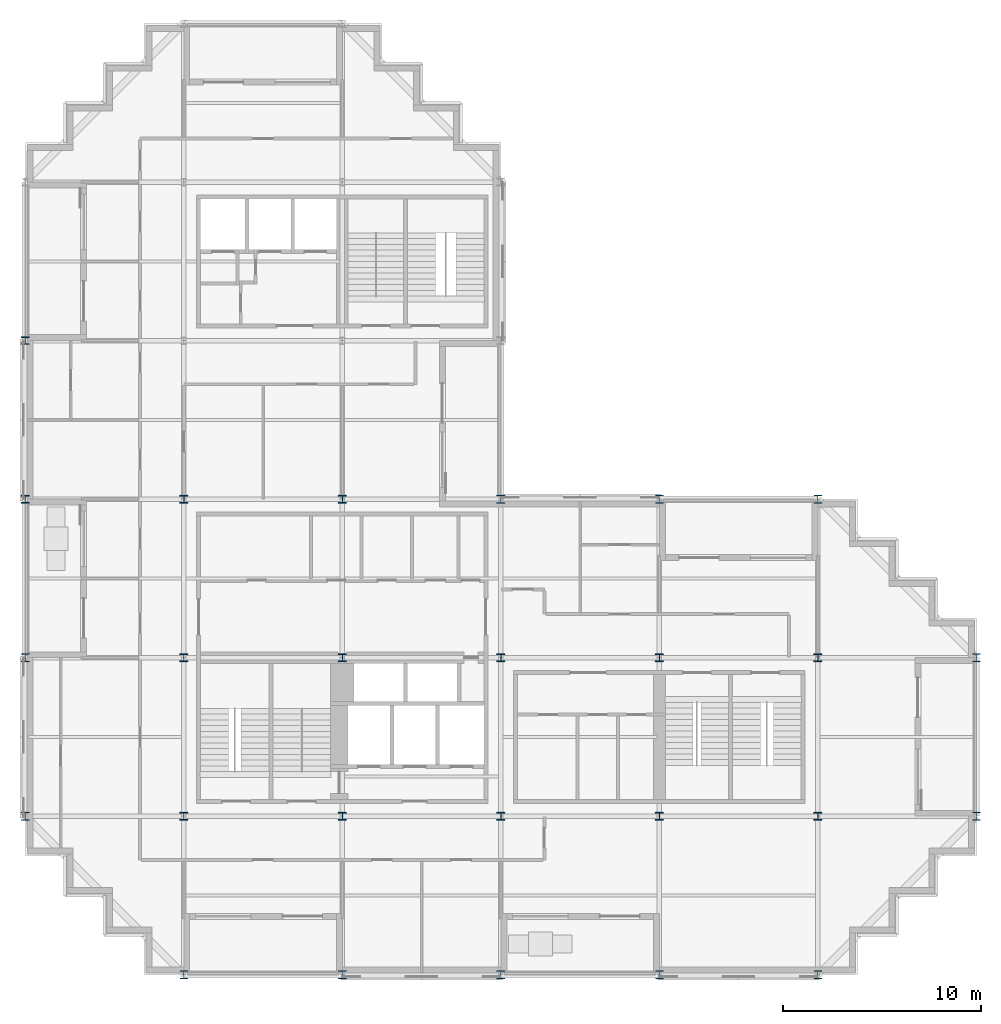
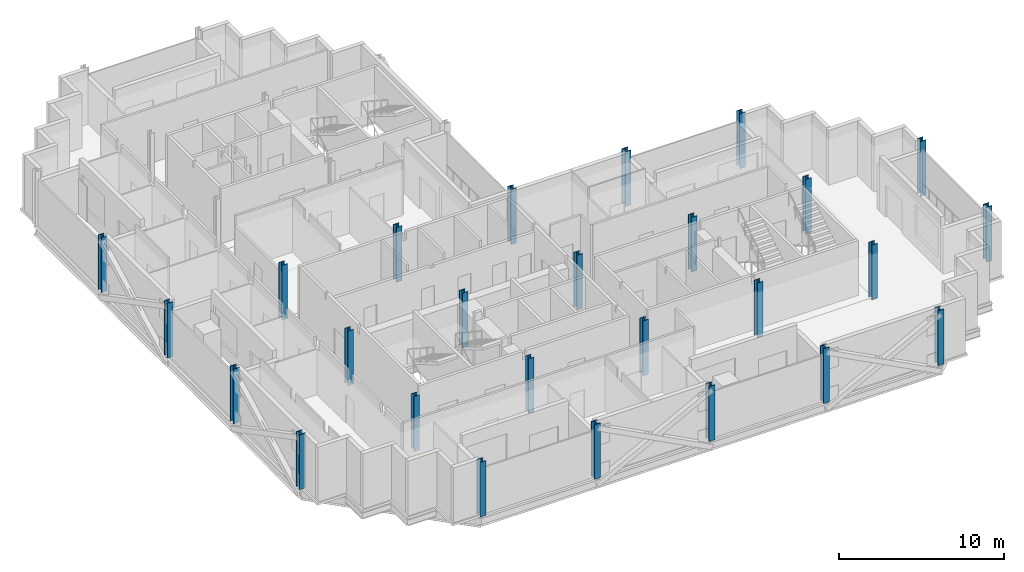
# One storey, part 1 of 13: 26 columns.
"""IFC4 building model written with IfcOpenShell, lengths in metres."""

import ifcopenshell
import ifcopenshell.guid

model = None  # the IFC model being written
_history = None  # IfcOwnerHistory: only IFC2X3 demands one
_inside = {}  # id of a spatial element -> (the spatial element, [elements in it])
_under = {}  # id of a project, library or spatial element -> (it, [spatial elements below it])
_declared = {}  # id of a project -> (the project, [libraries it declares])
_typed = {}  # id of a type object -> (the type object, [elements of that type])
_made_of = {}  # id of a material, layer set ... -> (it, [elements and type objects made of it])


def new_model(schema):
    """Start an empty IFC model of exactly this schema.

    Asked for "IFC4X3", IfcOpenShell would pick the latest addendum, in which some entities
    have other attributes; the version numbers below select the first issue.
    IFC2X3 requires an IfcOwnerHistory on every rooted entity: one is made here for all.
    """
    global model, _history
    if schema == "IFC4X3":
        model = ifcopenshell.file(schema_version=(4, 3, 0, 0))
    else:
        model = ifcopenshell.file(schema=schema)
    _inside.clear()
    _under.clear()
    _declared.clear()
    _typed.clear()
    _made_of.clear()
    _history = None
    if model.schema == "IFC2X3":
        org = make("IfcOrganization", Name="unknown")
        user = make(
            "IfcPersonAndOrganization",
            ThePerson=make("IfcPerson", FamilyName="unknown"),
            TheOrganization=org,
        )
        app = make(
            "IfcApplication",
            ApplicationDeveloper=org,
            Version="unknown",
            ApplicationFullName="unknown",
            ApplicationIdentifier="unknown",
        )
        _history = make(
            "IfcOwnerHistory",
            OwningUser=user,
            OwningApplication=app,
            ChangeAction="ADDED",
            CreationDate=0,
        )
    return model


def make(cls, **values):
    """One entity of the class cls with the attributes given. An attribute that is None is left unset."""
    return model.create_entity(
        cls, **{name: value for name, value in values.items() if value is not None}
    )


def rooted(cls, **values):
    """An entity with a GlobalId (a new one), such as an element, a storey or a relation."""
    return make(cls, GlobalId=ifcopenshell.guid.new(), OwnerHistory=_history, **values)


def si_unit(unit_type, name, prefix=None):
    """IfcSIUnit, for example si_unit("LENGTHUNIT", "METRE", prefix="MILLI")."""
    return make("IfcSIUnit", UnitType=unit_type, Prefix=prefix, Name=name)


def assignment(units):
    """IfcUnitAssignment: the units of a project."""
    return None if units is None else make("IfcUnitAssignment", Units=units)


def point(xyz):
    """IfcCartesianPoint."""
    return None if xyz is None else make("IfcCartesianPoint", Coordinates=xyz)


def direction(xyz):
    """IfcDirection."""
    return None if xyz is None else make("IfcDirection", DirectionRatios=xyz)


def frame(location, z_axis=None, x_axis=None):
    """IfcAxis2Placement3D, a coordinate frame: its origin and axes. An axis left out is left unset."""
    return make(
        "IfcAxis2Placement3D",
        Location=point(location),
        Axis=direction(z_axis),
        RefDirection=direction(x_axis),
    )


def frame_2d(location, x_axis=None):
    """IfcAxis2Placement2D, a coordinate frame in the plane: its origin and x axis."""
    return make(
        "IfcAxis2Placement2D", Location=point(location), RefDirection=direction(x_axis)
    )


def origin():
    """The frame at (0, 0, 0) with its axes left unset."""
    return frame((0.0, 0.0, 0.0))


def origin_2d():
    """The frame at (0, 0) in the plane with its x axis left unset."""
    return frame_2d((0.0, 0.0))


def place(relative_to, where):
    """IfcLocalPlacement: puts the frame where relative to a parent placement (None: the world)."""
    return make(
        "IfcLocalPlacement", PlacementRelTo=relative_to, RelativePlacement=where
    )


def context(
    kind, dimensions, precision=None, world=None, true_north=None, identifier=None
):
    """IfcGeometricRepresentationContext, for example the 3D "Model" context."""
    return make(
        "IfcGeometricRepresentationContext",
        ContextIdentifier=identifier,
        ContextType=kind,
        CoordinateSpaceDimension=dimensions,
        Precision=precision,
        WorldCoordinateSystem=world,
        TrueNorth=true_north,
    )


def subcontext(parent, identifier, kind, view, scale=None):
    """IfcGeometricRepresentationSubContext, for example "Body" below "Model"."""
    return make(
        "IfcGeometricRepresentationSubContext",
        ContextIdentifier=identifier,
        ContextType=kind,
        ParentContext=parent,
        TargetScale=scale,
        TargetView=view,
    )


def project(units=None, contexts=None):
    """IfcProject with its units and contexts."""
    return rooted(
        "IfcProject",
        Name="project",
        RepresentationContexts=contexts,
        UnitsInContext=assignment(units),
    )


def spatial(cls, under=None, at=None, **own):
    """A site, building, storey or space (cls), placed at a placement, below another one or the project."""
    s = rooted(cls, ObjectPlacement=at, **own)
    if under is not None:
        _under.setdefault(under.id(), (under, []))[1].append(s)
    return s


def profile(cls, at=None, kind="AREA", **sizes):
    """A parametric profile (cls). Its sizes go by their IFC names, for example OverallWidth=200.0."""
    return make(cls, ProfileType=kind, Position=at, **sizes)


def i_section(**sizes):
    """IfcIShapeProfileDef."""
    return profile("IfcIShapeProfileDef", **sizes)


def extrude(swept, where, along, depth):
    """IfcExtrudedAreaSolid: the profile swept, set in the frame where, extruded along a direction by depth."""
    return make(
        "IfcExtrudedAreaSolid",
        SweptArea=swept,
        Position=where,
        ExtrudedDirection=direction(along),
        Depth=depth,
    )


def shape(context_of_items, identifier, shape_type, items):
    """IfcShapeRepresentation: the items that make up one representation, for example the "Body"."""
    return make(
        "IfcShapeRepresentation",
        ContextOfItems=context_of_items,
        RepresentationIdentifier=identifier,
        RepresentationType=shape_type,
        Items=items,
    )


def material(Name=None, Category=None):
    """IfcMaterial."""
    return make("IfcMaterial", Name=Name, Category=Category)


def material_profile(
    of_material, cross_section, Name=None, Category=None, Priority=None
):
    """IfcMaterialProfile: a cross section and its material."""
    return make(
        "IfcMaterialProfile",
        Name=Name,
        Material=of_material,
        Profile=cross_section,
        Priority=Priority,
        Category=Category,
    )


def profile_set(profiles, Name=None, composite=None):
    """IfcMaterialProfileSet."""
    return make(
        "IfcMaterialProfileSet",
        Name=Name,
        MaterialProfiles=profiles,
        CompositeProfile=composite,
    )


def made_of(thing, what):
    """Note that an element or type object is made of a material, layer set ...; save() writes the relation."""
    if what is not None:
        _made_of.setdefault(what.id(), (what, []))[1].append(thing)
    return thing


def type_object(cls, material=None, **own):
    """A type object (cls), such as IfcWallType, which elements share."""
    return made_of(rooted(cls, **own), material)


def element(
    cls,
    number,
    at=None,
    inside=None,
    cuts=None,
    type_object=None,
    material=None,
    context=None,
    identifier="Body",
    shape_type=None,
    held_by="IfcProductDefinitionShape",
    body=None,
    shapes=None,
    **own,
):
    """One element of the class cls, such as IfcWall. Its Tag is "e" and its number.

    at: its placement. inside: the storey or other place that contains it. cuts: it is an
    opening in that element (IfcRelVoidsElement). A single representation is given by context,
    identifier, shape_type and body (its items); several are given by shapes. held_by: the class
    of the entity that holds the representations. save() writes the other relations.
    """
    e = rooted(cls, Tag="e%d" % number, ObjectPlacement=at, **own)
    if body is not None:
        shapes = [shape(context, identifier, shape_type, body)]
    if shapes is not None:
        e.Representation = make(held_by, Representations=shapes)
    if inside is not None:
        _inside.setdefault(inside.id(), (inside, []))[1].append(e)
    if cuts is not None:
        rooted(
            "IfcRelVoidsElement", RelatingBuildingElement=cuts, RelatedOpeningElement=e
        )
    if type_object is not None:
        _typed.setdefault(type_object.id(), (type_object, []))[1].append(e)
    return made_of(e, material)


def aggregate(whole, parts):
    """IfcRelAggregates: a whole, such as a stair, and the parts it consists of."""
    return rooted("IfcRelAggregates", RelatingObject=whole, RelatedObjects=parts)


def save(model, path):
    """Write the relations noted so far, then the file.

    IfcRelAggregates (storeys below a building ...), IfcRelContainedInSpatialStructure (elements
    in a storey), IfcRelDefinesByType, IfcRelAssociatesMaterial and IfcRelDeclares: one each for
    every whole, place, type object, material and project.
    """
    for whole, parts in _under.values():
        aggregate(whole, parts)
    for where, things in _inside.values():
        rooted(
            "IfcRelContainedInSpatialStructure",
            RelatedElements=things,
            RelatingStructure=where,
        )
    for kind, things in _typed.values():
        rooted("IfcRelDefinesByType", RelatedObjects=things, RelatingType=kind)
    for what, things in _made_of.values():
        rooted("IfcRelAssociatesMaterial", RelatedObjects=things, RelatingMaterial=what)
    for by, libraries in _declared.values():
        rooted("IfcRelDeclares", RelatingContext=by, RelatedDefinitions=libraries)
    model.write(path)


model = new_model("IFC4")

# Units and contexts
model_context = context("Model", 3, precision=1e-05, world=origin(), true_north=direction((0.0, 1.0)))
body_context = subcontext(model_context, "Body", "Model", "MODEL_VIEW")
ifc_project = project(units=[si_unit("LENGTHUNIT", "METRE"), si_unit("AREAUNIT", "SQUARE_METRE"), si_unit("VOLUMEUNIT", "CUBIC_METRE"), si_unit("PLANEANGLEUNIT", "RADIAN"), si_unit("MASSUNIT", "GRAM", prefix="KILO")], contexts=[model_context])

# Site, building, storey
site_placement = place(None, origin())
site = spatial("IfcSite", under=ifc_project, at=site_placement, CompositionType="ELEMENT")
building_placement = place(site_placement, origin())
building = spatial("IfcBuilding", under=site, at=building_placement, Name="Immortelle Media Tower", CompositionType="ELEMENT")
storey_placement = place(building_placement, frame((0.0, 0.0, 170.39990234375)))
storey = spatial("IfcBuildingStorey", under=building, at=storey_placement, Name="L35", CompositionType="ELEMENT", Elevation=170.39990234375)

# Columns
ifc_material = material(Name="Steel ASTM A992 Gr 50", Category="steel")
ifc_material_profile_1 = material_profile(ifc_material, i_section(OverallWidth=0.39892578125, OverallDepth=0.385986328125, WebThickness=0.02099609375, FlangeThickness=0.032958984375, at=origin_2d()), Name="W14x176")
ifc_profile_set_1 = profile_set([ifc_material_profile_1], Name="Steel ASTM A992 Gr 50")
column_type_1 = type_object("IfcColumnType", Name="W14x176 column", PredefinedType="COLUMN", material=ifc_profile_set_1)
for number, where, z_axis, x_axis, name in (
    (1, (0.0, 24.0, 0.0), (0.0, 0.0, 1.0), (1.0, 0.0, 0.0), "Column 1/D"),
    (2, (0.0, 32.0, 0.0), (0.0, 0.0, 1.0), (1.0, 0.0, 0.0), "Column 1/E"),
    (3, (8.0, 8.0, 0.0), (0.0, 0.0, 1.0), (1.0, 0.0, 0.0), "Column 2/B"),
    (4, (8.0, 16.0, 0.0), (0.0, 0.0, 1.0), (1.0, 0.0, 0.0), "Column 2/C"),
    (5, (16.0, 8.0, 0.0), (0.0, 0.0, 1.0), (1.0, 0.0, 0.0), "Column 3/B"),
    (6, (16.0, 16.0, 0.0), (0.0, 0.0, 1.0), (1.0, 0.0, 0.0), "Column 3/C"),
    (7, (32.0, 8.0, 0.0), (0.0, 0.0, 1.0), (1.0, 0.0, 0.0), "Column 5/B"),
    (8, (32.0, 16.0, 0.0), (0.0, 0.0, 1.0), (1.0, 0.0, 0.0), "Column 5/C"),
    (9, (40.0, 8.0, 0.0), (0.0, 0.0, 1.0), (1.0, 0.0, 0.0), "Column 6/B"),
    (10, (40.0, 16.0, 0.0), (0.0, 0.0, 1.0), (1.0, 0.0, 0.0), "Column 6/C"),
):
    element("IfcColumn", number, at=place(storey_placement, frame(where, z_axis=z_axis, x_axis=x_axis)), inside=storey, type_object=column_type_1, Name=name, PredefinedType="COLUMN", context=body_context, shape_type="SweptSolid", body=[
        extrude(i_section(OverallWidth=0.39892578125, OverallDepth=0.385986328125, WebThickness=0.02099609375, FlangeThickness=0.032958984375, at=origin_2d()), origin(), (0.0, 0.0, 1.0), 4.050048828125),
    ])
ifc_material_profile_2 = material_profile(ifc_material, i_section(OverallWidth=0.40087890625, OverallDepth=0.39892578125, WebThickness=0.02490234375, FlangeThickness=0.0400390625, at=origin_2d()), Name="W14x211")
ifc_profile_set_2 = profile_set([ifc_material_profile_2], Name="Steel ASTM A992 Gr 50")
column_type_2 = type_object("IfcColumnType", Name="W14x211 column", PredefinedType="COLUMN", material=ifc_profile_set_2)
for number, where, z_axis, x_axis, name in (
    (11, (8.0, 24.0, 0.0), (0.0, 0.0, 1.0), (1.0, 0.0, 0.0), "Column 2/D"),
    (12, (16.0, 24.0, 0.0), (0.0, 0.0, 1.0), (1.0, 0.0, 0.0), "Column 3/D"),
    (13, (24.0, 8.0, 0.0), (0.0, 0.0, 1.0), (1.0, 0.0, 0.0), "Column 4/B"),
    (14, (24.0, 16.0, 0.0), (0.0, 0.0, 1.0), (1.0, 0.0, 0.0), "Column 4/C"),
):
    element("IfcColumn", number, at=place(storey_placement, frame(where, z_axis=z_axis, x_axis=x_axis)), inside=storey, type_object=column_type_2, Name=name, PredefinedType="COLUMN", context=body_context, shape_type="SweptSolid", body=[
        extrude(i_section(OverallWidth=0.40087890625, OverallDepth=0.39892578125, WebThickness=0.02490234375, FlangeThickness=0.0400390625, at=origin_2d()), origin(), (0.0, 0.0, 1.0), 4.050048828125),
    ])
ifc_material_profile_3 = material_profile(ifc_material, i_section(OverallWidth=0.406005859375, OverallDepth=0.4169921875, WebThickness=0.030029296875, FlangeThickness=0.048095703125, at=origin_2d()), Name="W14x257")
ifc_profile_set_3 = profile_set([ifc_material_profile_3], Name="Steel ASTM A992 Gr 50")
column_type_3 = type_object("IfcColumnType", Name="W14x257 column", PredefinedType="COLUMN", material=ifc_profile_set_3)
for number, where, z_axis, x_axis, name in (
    (15, (8.0, 0.0, 0.0), (0.0, 0.0, 1.0), (1.0, 0.0, 0.0), "Column 2/A"),
    (16, (40.0, 24.0, 0.0), (0.0, 0.0, 1.0), (1.0, 0.0, 0.0), "Column 6/D"),
    (17, (48.0, 8.0, 0.0), (0.0, 0.0, 1.0), (1.0, 0.0, 0.0), "Column 7/B"),
    (18, (48.0, 16.0, 0.0), (0.0, 0.0, 1.0), (1.0, 0.0, 0.0), "Column 7/C"),
):
    element("IfcColumn", number, at=place(storey_placement, frame(where, z_axis=z_axis, x_axis=x_axis)), inside=storey, type_object=column_type_3, Name=name, PredefinedType="COLUMN", context=body_context, shape_type="SweptSolid", body=[
        extrude(i_section(OverallWidth=0.406005859375, OverallDepth=0.4169921875, WebThickness=0.030029296875, FlangeThickness=0.048095703125, at=origin_2d()), origin(), (0.0, 0.0, 1.0), 4.050048828125),
    ])
ifc_material_profile_4 = material_profile(ifc_material, i_section(OverallWidth=0.410888671875, OverallDepth=0.43408203125, WebThickness=0.035888671875, FlangeThickness=0.056884765625, at=origin_2d()), Name="W14x311")
ifc_profile_set_4 = profile_set([ifc_material_profile_4], Name="Steel ASTM A992 Gr 50")
column_type_4 = type_object("IfcColumnType", Name="W14x311 column", PredefinedType="COLUMN", material=ifc_profile_set_4)
for number, where, z_axis, x_axis, name in (
    (19, (0.0, 8.0, 0.0), (0.0, 0.0, 1.0), (1.0, 0.0, 0.0), "Column 1/B"),
    (20, (0.0, 16.0, 0.0), (0.0, 0.0, 1.0), (1.0, 0.0, 0.0), "Column 1/C"),
    (21, (16.0, 0.0, 0.0), (0.0, 0.0, 1.0), (1.0, 0.0, 0.0), "Column 3/A"),
    (22, (24.0, 0.0, 0.0), (0.0, 0.0, 1.0), (1.0, 0.0, 0.0), "Column 4/A"),
    (23, (24.0, 24.0, 0.0), (0.0, 0.0, 1.0), (1.0, 0.0, 0.0), "Column 4/D"),
    (24, (32.0, 0.0, 0.0), (0.0, 0.0, 1.0), (1.0, 0.0, 0.0), "Column 5/A"),
    (25, (32.0, 24.0, 0.0), (0.0, 0.0, 1.0), (1.0, 0.0, 0.0), "Column 5/D"),
    (26, (40.0, 0.0, 0.0), (0.0, 0.0, 1.0), (1.0, 0.0, 0.0), "Column 6/A"),
):
    element("IfcColumn", number, at=place(storey_placement, frame(where, z_axis=z_axis, x_axis=x_axis)), inside=storey, type_object=column_type_4, Name=name, PredefinedType="COLUMN", context=body_context, shape_type="SweptSolid", body=[
        extrude(i_section(OverallWidth=0.410888671875, OverallDepth=0.43408203125, WebThickness=0.035888671875, FlangeThickness=0.056884765625, at=origin_2d()), origin(), (0.0, 0.0, 1.0), 4.050048828125),
    ])

save(model, "model.ifc")
